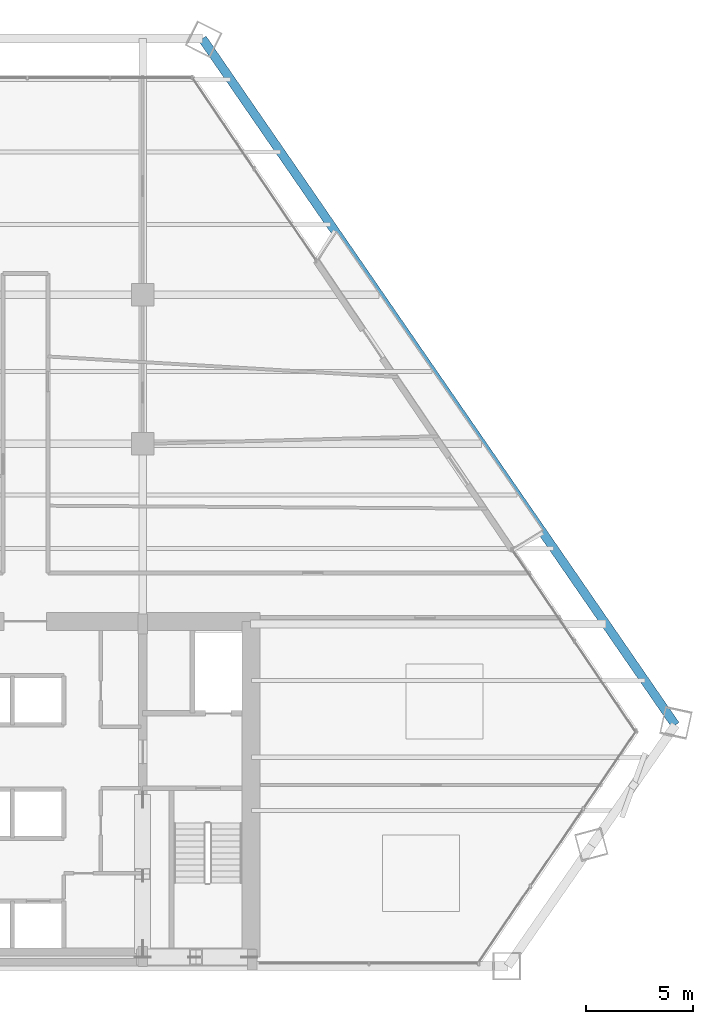
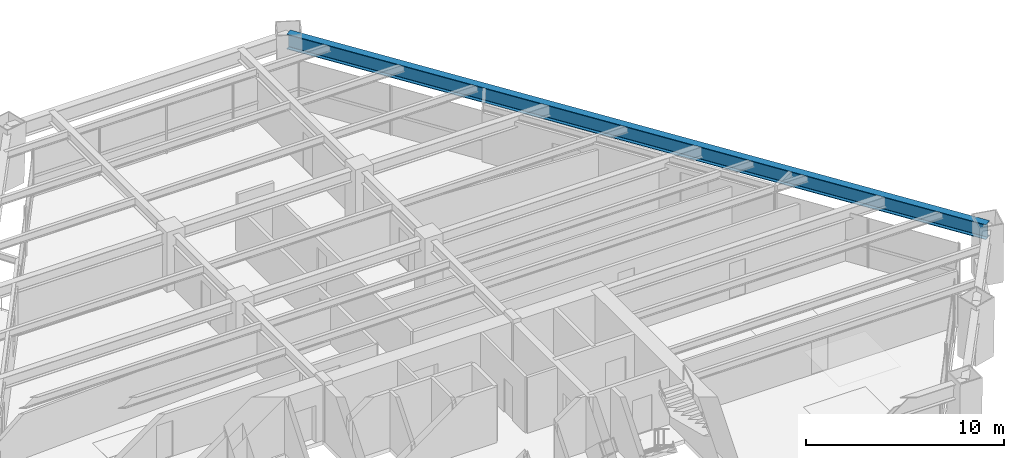
# One storey, part 7 of 14: 1 beam.
"""IFC4 building model written with IfcOpenShell, lengths in metres."""

from ifc_helpers import new_model, si_unit, direction, frame, origin, origin_2d, place, context, subcontext, project, spatial, i_section, extrude, source, transform, mapped, material, material_profile, profile_set, type_object, element, save


model = new_model("IFC4")

# Units and contexts
model_context = context("Model", 3, precision=1e-05, world=origin(), true_north=direction((0.0, 1.0)))
body_context = subcontext(model_context, "Body", "Model", "MODEL_VIEW")
ifc_project = project(units=[si_unit("LENGTHUNIT", "METRE"), si_unit("AREAUNIT", "SQUARE_METRE"), si_unit("VOLUMEUNIT", "CUBIC_METRE"), si_unit("PLANEANGLEUNIT", "RADIAN"), si_unit("MASSUNIT", "GRAM", prefix="KILO")], contexts=[model_context])

# Site, building, storey
site_placement = place(None, origin())
site = spatial("IfcSite", under=ifc_project, at=site_placement, CompositionType="ELEMENT")
building_placement = place(site_placement, origin())
building = spatial("IfcBuilding", under=site, at=building_placement, Name="Varnakhor Terracotta Tower", CompositionType="ELEMENT")
storey_placement = place(building_placement, frame((0.0, 0.0, 34.89990234375)))
storey = spatial("IfcBuildingStorey", under=building, at=storey_placement, Name="L07", CompositionType="ELEMENT", Elevation=34.89990234375)

# Beam
ifc_material = material(Name="Steel S355", Category="steel")
ifc_material_profile = material_profile(ifc_material, i_section(OverallWidth=0.41796875, OverallDepth=0.927001953125, WebThickness=0.01904296875, FlangeThickness=0.031982421875, FilletRadius=0.01806640625, at=origin_2d()), Name="W36X231")
ifc_profile_set = profile_set([ifc_material_profile], Name="Steel S355")
beam_type = type_object("IfcBeamType", Name="BM-W36X231", PredefinedType="BEAM", material=ifc_profile_set)
shared_shape = source(origin(), body_context, "Body", "SweptSolid", [
    extrude(i_section(OverallWidth=0.41796875, OverallDepth=0.927001953125, WebThickness=0.01904296875, FlangeThickness=0.031982421875, FilletRadius=0.01806640625, at=origin_2d()), origin(), (0.0, 0.0, 1.0), 39.106201171875),
])
beam_placement = place(storey_placement, frame((30.494384765625, 11.31201171875, 2.986572265625), z_axis=(-0.567432242923, 0.823420093082, 0.0), x_axis=(-0.823420093082, -0.567432242923, 0.0)))
element("IfcBeam", 1, at=beam_placement, inside=storey, type_object=beam_type, Name="L07 Perimeter Spandrel 4", PredefinedType="BEAM", context=body_context, shape_type="MappedRepresentation", body=[
    mapped(shared_shape, transform((0.0, 0.0, 0.0), scale=1.0)),
])

save(model, "model.ifc")
